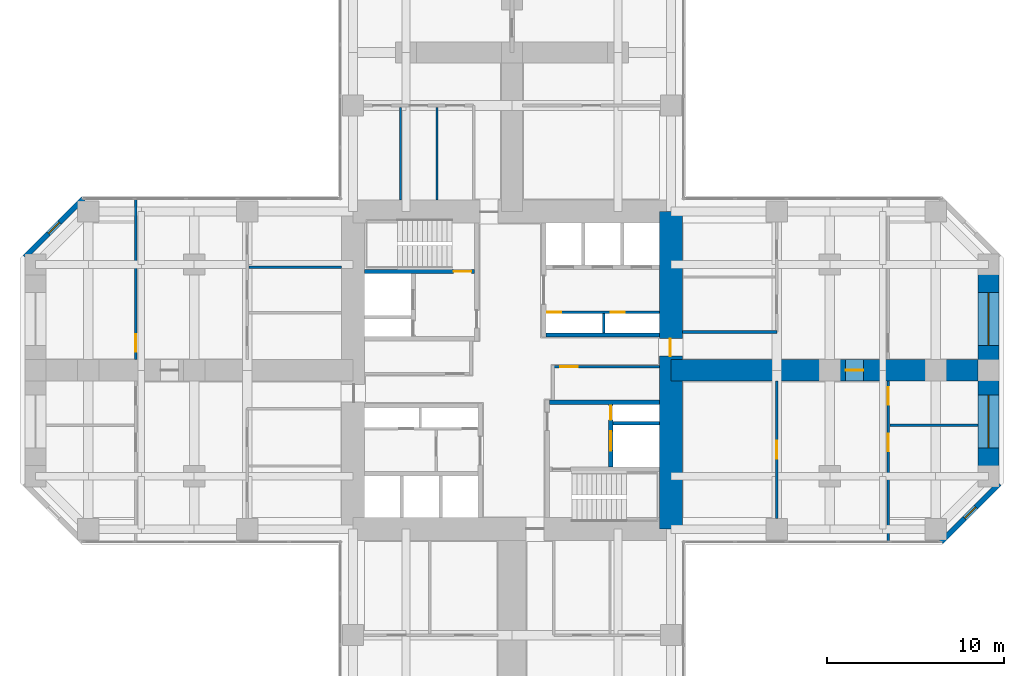
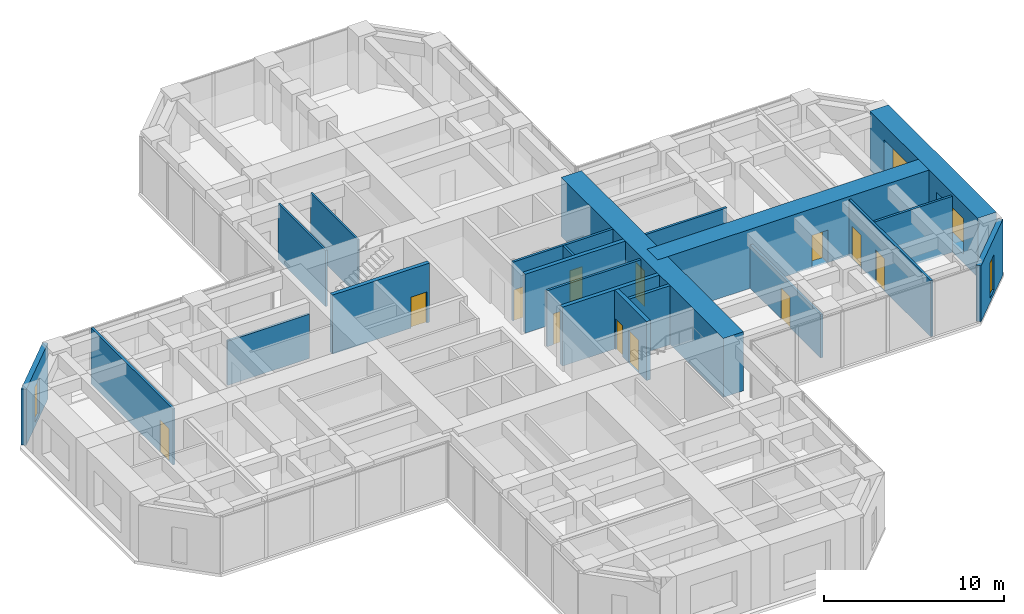
# One storey, part 10 of 13: 21 walls, 12 doors, 4 windows, 16 openings.
"""IFC4 building model written with IfcOpenShell, lengths in metres."""

import ifcopenshell
import ifcopenshell.guid

model = None  # the IFC model being written
_history = None  # IfcOwnerHistory: only IFC2X3 demands one
_inside = {}  # id of a spatial element -> (the spatial element, [elements in it])
_under = {}  # id of a project, library or spatial element -> (it, [spatial elements below it])
_declared = {}  # id of a project -> (the project, [libraries it declares])
_typed = {}  # id of a type object -> (the type object, [elements of that type])
_made_of = {}  # id of a material, layer set ... -> (it, [elements and type objects made of it])


def new_model(schema):
    """Start an empty IFC model of exactly this schema.

    Asked for "IFC4X3", IfcOpenShell would pick the latest addendum, in which some entities
    have other attributes; the version numbers below select the first issue.
    IFC2X3 requires an IfcOwnerHistory on every rooted entity: one is made here for all.
    """
    global model, _history
    if schema == "IFC4X3":
        model = ifcopenshell.file(schema_version=(4, 3, 0, 0))
    else:
        model = ifcopenshell.file(schema=schema)
    _inside.clear()
    _under.clear()
    _declared.clear()
    _typed.clear()
    _made_of.clear()
    _history = None
    if model.schema == "IFC2X3":
        org = make("IfcOrganization", Name="unknown")
        user = make(
            "IfcPersonAndOrganization",
            ThePerson=make("IfcPerson", FamilyName="unknown"),
            TheOrganization=org,
        )
        app = make(
            "IfcApplication",
            ApplicationDeveloper=org,
            Version="unknown",
            ApplicationFullName="unknown",
            ApplicationIdentifier="unknown",
        )
        _history = make(
            "IfcOwnerHistory",
            OwningUser=user,
            OwningApplication=app,
            ChangeAction="ADDED",
            CreationDate=0,
        )
    return model


def make(cls, **values):
    """One entity of the class cls with the attributes given. An attribute that is None is left unset."""
    return model.create_entity(
        cls, **{name: value for name, value in values.items() if value is not None}
    )


def rooted(cls, **values):
    """An entity with a GlobalId (a new one), such as an element, a storey or a relation."""
    return make(cls, GlobalId=ifcopenshell.guid.new(), OwnerHistory=_history, **values)


def si_unit(unit_type, name, prefix=None):
    """IfcSIUnit, for example si_unit("LENGTHUNIT", "METRE", prefix="MILLI")."""
    return make("IfcSIUnit", UnitType=unit_type, Prefix=prefix, Name=name)


def assignment(units):
    """IfcUnitAssignment: the units of a project."""
    return None if units is None else make("IfcUnitAssignment", Units=units)


def point(xyz):
    """IfcCartesianPoint."""
    return None if xyz is None else make("IfcCartesianPoint", Coordinates=xyz)


def direction(xyz):
    """IfcDirection."""
    return None if xyz is None else make("IfcDirection", DirectionRatios=xyz)


def frame(location, z_axis=None, x_axis=None):
    """IfcAxis2Placement3D, a coordinate frame: its origin and axes. An axis left out is left unset."""
    return make(
        "IfcAxis2Placement3D",
        Location=point(location),
        Axis=direction(z_axis),
        RefDirection=direction(x_axis),
    )


def frame_2d(location, x_axis=None):
    """IfcAxis2Placement2D, a coordinate frame in the plane: its origin and x axis."""
    return make(
        "IfcAxis2Placement2D", Location=point(location), RefDirection=direction(x_axis)
    )


def origin():
    """The frame at (0, 0, 0) with its axes left unset."""
    return frame((0.0, 0.0, 0.0))


def place(relative_to, where):
    """IfcLocalPlacement: puts the frame where relative to a parent placement (None: the world)."""
    return make(
        "IfcLocalPlacement", PlacementRelTo=relative_to, RelativePlacement=where
    )


def context(
    kind, dimensions, precision=None, world=None, true_north=None, identifier=None
):
    """IfcGeometricRepresentationContext, for example the 3D "Model" context."""
    return make(
        "IfcGeometricRepresentationContext",
        ContextIdentifier=identifier,
        ContextType=kind,
        CoordinateSpaceDimension=dimensions,
        Precision=precision,
        WorldCoordinateSystem=world,
        TrueNorth=true_north,
    )


def subcontext(parent, identifier, kind, view, scale=None):
    """IfcGeometricRepresentationSubContext, for example "Body" below "Model"."""
    return make(
        "IfcGeometricRepresentationSubContext",
        ContextIdentifier=identifier,
        ContextType=kind,
        ParentContext=parent,
        TargetScale=scale,
        TargetView=view,
    )


def project(units=None, contexts=None):
    """IfcProject with its units and contexts."""
    return rooted(
        "IfcProject",
        Name="project",
        RepresentationContexts=contexts,
        UnitsInContext=assignment(units),
    )


def spatial(cls, under=None, at=None, **own):
    """A site, building, storey or space (cls), placed at a placement, below another one or the project."""
    s = rooted(cls, ObjectPlacement=at, **own)
    if under is not None:
        _under.setdefault(under.id(), (under, []))[1].append(s)
    return s


def profile(cls, at=None, kind="AREA", **sizes):
    """A parametric profile (cls). Its sizes go by their IFC names, for example OverallWidth=200.0."""
    return make(cls, ProfileType=kind, Position=at, **sizes)


def rectangle(**sizes):
    """IfcRectangleProfileDef."""
    return profile("IfcRectangleProfileDef", **sizes)


def hollow_rectangle(**sizes):
    """IfcRectangleHollowProfileDef."""
    return profile("IfcRectangleHollowProfileDef", **sizes)


def extrude(swept, where, along, depth):
    """IfcExtrudedAreaSolid: the profile swept, set in the frame where, extruded along a direction by depth."""
    return make(
        "IfcExtrudedAreaSolid",
        SweptArea=swept,
        Position=where,
        ExtrudedDirection=direction(along),
        Depth=depth,
    )


def shape(context_of_items, identifier, shape_type, items):
    """IfcShapeRepresentation: the items that make up one representation, for example the "Body"."""
    return make(
        "IfcShapeRepresentation",
        ContextOfItems=context_of_items,
        RepresentationIdentifier=identifier,
        RepresentationType=shape_type,
        Items=items,
    )


def material(Name=None, Category=None):
    """IfcMaterial."""
    return make("IfcMaterial", Name=Name, Category=Category)


def layer(
    of_material, thickness, ventilated=None, Name=None, Category=None, Priority=None
):
    """IfcMaterialLayer: one layer of a wall or slab, of a material (None: an air gap)."""
    return make(
        "IfcMaterialLayer",
        Material=of_material,
        LayerThickness=thickness,
        IsVentilated=ventilated,
        Name=Name,
        Category=Category,
        Priority=Priority,
    )


def layer_set(layers, Name=None):
    """IfcMaterialLayerSet."""
    return make("IfcMaterialLayerSet", MaterialLayers=layers, LayerSetName=Name)


def constituent(of_material, Name=None, Category=None, fraction=None):
    """IfcMaterialConstituent: one of the materials an element consists of."""
    return make(
        "IfcMaterialConstituent",
        Name=Name,
        Material=of_material,
        Fraction=fraction,
        Category=Category,
    )


def constituent_set(constituents=None, Name=None):
    """IfcMaterialConstituentSet."""
    return make(
        "IfcMaterialConstituentSet", Name=Name, MaterialConstituents=constituents
    )


def made_of(thing, what):
    """Note that an element or type object is made of a material, layer set ...; save() writes the relation."""
    if what is not None:
        _made_of.setdefault(what.id(), (what, []))[1].append(thing)
    return thing


def type_object(cls, material=None, **own):
    """A type object (cls), such as IfcWallType, which elements share."""
    return made_of(rooted(cls, **own), material)


def element(
    cls,
    number,
    at=None,
    inside=None,
    cuts=None,
    type_object=None,
    material=None,
    context=None,
    identifier="Body",
    shape_type=None,
    held_by="IfcProductDefinitionShape",
    body=None,
    shapes=None,
    **own,
):
    """One element of the class cls, such as IfcWall. Its Tag is "e" and its number.

    at: its placement. inside: the storey or other place that contains it. cuts: it is an
    opening in that element (IfcRelVoidsElement). A single representation is given by context,
    identifier, shape_type and body (its items); several are given by shapes. held_by: the class
    of the entity that holds the representations. save() writes the other relations.
    """
    e = rooted(cls, Tag="e%d" % number, ObjectPlacement=at, **own)
    if body is not None:
        shapes = [shape(context, identifier, shape_type, body)]
    if shapes is not None:
        e.Representation = make(held_by, Representations=shapes)
    if inside is not None:
        _inside.setdefault(inside.id(), (inside, []))[1].append(e)
    if cuts is not None:
        rooted(
            "IfcRelVoidsElement", RelatingBuildingElement=cuts, RelatedOpeningElement=e
        )
    if type_object is not None:
        _typed.setdefault(type_object.id(), (type_object, []))[1].append(e)
    return made_of(e, material)


def fill(opening, filler):
    """IfcRelFillsElement: the door or window that sits in an opening."""
    return rooted(
        "IfcRelFillsElement",
        RelatingOpeningElement=opening,
        RelatedBuildingElement=filler,
    )


def aggregate(whole, parts):
    """IfcRelAggregates: a whole, such as a stair, and the parts it consists of."""
    return rooted("IfcRelAggregates", RelatingObject=whole, RelatedObjects=parts)


def save(model, path):
    """Write the relations noted so far, then the file.

    IfcRelAggregates (storeys below a building ...), IfcRelContainedInSpatialStructure (elements
    in a storey), IfcRelDefinesByType, IfcRelAssociatesMaterial and IfcRelDeclares: one each for
    every whole, place, type object, material and project.
    """
    for whole, parts in _under.values():
        aggregate(whole, parts)
    for where, things in _inside.values():
        rooted(
            "IfcRelContainedInSpatialStructure",
            RelatedElements=things,
            RelatingStructure=where,
        )
    for kind, things in _typed.values():
        rooted("IfcRelDefinesByType", RelatedObjects=things, RelatingType=kind)
    for what, things in _made_of.values():
        rooted("IfcRelAssociatesMaterial", RelatedObjects=things, RelatingMaterial=what)
    for by, libraries in _declared.values():
        rooted("IfcRelDeclares", RelatingContext=by, RelatedDefinitions=libraries)
    model.write(path)


model = new_model("IFC4")

# Units and contexts
model_context = context("Model", 3, precision=1e-05, world=origin(), true_north=direction((0.0, 1.0)))
body_context = subcontext(model_context, "Body", "Model", "MODEL_VIEW")
ifc_project = project(units=[si_unit("LENGTHUNIT", "METRE"), si_unit("AREAUNIT", "SQUARE_METRE"), si_unit("VOLUMEUNIT", "CUBIC_METRE"), si_unit("PLANEANGLEUNIT", "RADIAN"), si_unit("MASSUNIT", "GRAM", prefix="KILO")], contexts=[model_context])

# Site, building, storey
site_placement = place(None, origin())
site = spatial("IfcSite", under=ifc_project, at=site_placement, CompositionType="ELEMENT")
building_placement = place(site_placement, origin())
building = spatial("IfcBuilding", under=site, at=building_placement, Name="Torre Cruceta", CompositionType="ELEMENT")
storey_placement = place(building_placement, frame((0.0, 0.0, 47.5)))
storey = spatial("IfcBuildingStorey", under=building, at=storey_placement, Name="L11", CompositionType="ELEMENT", Elevation=47.5)

# Wall
ifc_material_1 = material(Name="Concrete G60 (fck 60 MPa)", Category="concrete")
ifc_layer_1 = layer(ifc_material_1, 0.25)
ifc_layer_set_1 = layer_set([ifc_layer_1], Name="Concrete G60 (fck 60 MPa)")
wall_type_1 = type_object("IfcWallType", Name="CORE INNER WALL 250 G60", PredefinedType="SHEAR", material=ifc_layer_set_1)
wall_1_placement = place(storey_placement, frame((1.925048828125, 2.0, 0.0), z_axis=(0.0, 0.0, 1.0), x_axis=(1.0, 0.0, 0.0)))
element("IfcWall", 1, at=wall_1_placement, inside=storey, type_object=wall_type_1, Name="CW4 L11 NE-CV", PredefinedType="SHEAR", context=body_context, shape_type="SweptSolid", body=[
    extrude(rectangle(XDim=6.425048828125, YDim=0.25, at=frame_2d((3.21240234375, 0.0))), origin(), (0.0, 0.0, 1.0), 4.0),
])

# Wall, opening, door
wall_2_placement = place(storey_placement, frame((-2.125, 5.60009765625, 0.0), z_axis=(0.0, 0.0, 1.0), x_axis=(-1.0, 0.0, 0.0)))
wall_2 = element("IfcWall", 2, at=wall_2_placement, inside=storey, type_object=wall_type_1, Name="CW4 L11 NW-SV", PredefinedType="SHEAR", context=body_context, shape_type="SweptSolid", body=[
    extrude(rectangle(XDim=6.22509765625, YDim=0.25, at=frame_2d((3.112548828125, 0.0))), origin(), (0.0, 0.0, 1.0), 4.0),
])
opening_1_placement = place(wall_2_placement, frame((0.175048828125, 0.0, 0.0)))
opening_1 = element("IfcOpeningElement", 3, at=opening_1_placement, cuts=wall_2, Name="Opening D3", PredefinedType="OPENING", context=body_context, shape_type="SweptSolid", body=[
    extrude(rectangle(XDim=1.0, YDim=2.10009765625, at=frame_2d((0.5, 1.050048828125))), frame((0.0, 0.135009765625, 0.0), z_axis=(0.0, -1.0, 0.0), x_axis=(1.0, 0.0, 0.0)), (0.0, 0.0, 1.0), 0.27001953125),
])
ifc_material_2 = material(Name="Steel DX51D", Category="steel")
ifc_constituent_1 = constituent(ifc_material_2, Name="Leaf and frame")
ifc_material_3 = material(Name="Polyester powder coating", Category="paint")
ifc_constituent_2 = constituent(ifc_material_3, Name="Finish")
ifc_constituent_set_1 = constituent_set(constituents=[ifc_constituent_1, ifc_constituent_2], Name="Steel fire door")
door_type_1 = type_object("IfcDoorType", Name="FIRE DOOR 1000X2100", OperationType="SINGLE_SWING_LEFT", PredefinedType="DOOR", material=ifc_constituent_set_1)
door_1_placement = place(opening_1_placement, frame((1.0, 0.0, 0.0), z_axis=(0.0, 0.0, 1.0), x_axis=(-1.0, 0.0, 0.0)))
door_1 = element("IfcDoor", 4, at=door_1_placement, inside=storey, type_object=door_type_1, Name="D3 L11 NW-STAIR", OperationType="SINGLE_SWING_RIGHT", OverallHeight=2.10009765625, OverallWidth=1.0, PredefinedType="DOOR", context=body_context, shape_type="SweptSolid", body=[
    extrude(rectangle(XDim=1.0, YDim=2.10009765625, at=frame_2d((0.5, 1.050048828125))), frame((0.0, 0.025146484375, 0.0), z_axis=(0.0, -1.0, 0.0), x_axis=(1.0, 0.0, 0.0)), (0.0, 0.0, 1.0), 0.050048828125),
])
fill(opening_1, door_1)

# Wall
wall_3_placement = place(storey_placement, frame((2.125, -1.800048828125, 0.0), z_axis=(0.0, 0.0, 1.0), x_axis=(1.0, 0.0, 0.0)))
element("IfcWall", 5, at=wall_3_placement, inside=storey, type_object=wall_type_1, Name="CW4 L11 SE-CV", PredefinedType="SHEAR", context=body_context, shape_type="SweptSolid", body=[
    extrude(rectangle(XDim=6.22509765625, YDim=0.25, at=frame_2d((3.112548828125, 0.0))), origin(), (0.0, 0.0, 1.0), 4.0),
])

# Wall, openings, doors
wall_4_placement = place(storey_placement, frame((5.60009765625, -1.925048828125, 0.0), z_axis=(0.0, 0.0, 1.0), x_axis=(0.0, -1.0, 0.0)))
wall_4 = element("IfcWall", 6, at=wall_4_placement, inside=storey, type_object=wall_type_1, Name="CW4 L11 SE-FU", PredefinedType="SHEAR", context=body_context, shape_type="SweptSolid", body=[
    extrude(rectangle(XDim=3.550048828125, YDim=0.25, at=frame_2d((1.77490234375, 0.0))), origin(), (0.0, 0.0, 1.0), 4.0),
])
opening_2_placement = place(wall_4_placement, frame((1.52490234375, 0.0, 0.0)))
opening_2 = element("IfcOpeningElement", 7, at=opening_2_placement, cuts=wall_4, Name="Opening LD1", PredefinedType="OPENING", context=body_context, shape_type="SweptSolid", body=[
    extrude(rectangle(XDim=1.10009765625, YDim=2.199951171875, at=frame_2d((0.550048828125, 1.10009765625))), frame((0.0, 0.135009765625, 0.0), z_axis=(0.0, -1.0, 0.0), x_axis=(1.0, 0.0, 0.0)), (0.0, 0.0, 1.0), 0.27001953125),
])
opening_3_placement = place(wall_4_placement, frame((0.074951171875, 0.0, 0.0)))
opening_3 = element("IfcOpeningElement", 8, at=opening_3_placement, cuts=wall_4, Name="Opening D5", PredefinedType="OPENING", context=body_context, shape_type="SweptSolid", body=[
    extrude(rectangle(XDim=0.800048828125, YDim=2.10009765625, at=frame_2d((0.39990234375, 1.050048828125))), frame((0.0, 0.135009765625, 0.0), z_axis=(0.0, -1.0, 0.0), x_axis=(1.0, 0.0, 0.0)), (0.0, 0.0, 1.0), 0.27001953125),
])
ifc_material_4 = material(Name="Stainless steel 1.4401", Category="steel")
door_type_2 = type_object("IfcDoorType", Name="LIFT LANDING DOOR 1100X2200", OperationType="DOUBLE_DOOR_SLIDING", PredefinedType="DOOR", material=ifc_material_4)
door_2_placement = place(opening_2_placement, origin())
door_2 = element("IfcDoor", 9, at=door_2_placement, inside=storey, type_object=door_type_2, Name="Lift landing door FL2", OperationType="DOUBLE_DOOR_SLIDING", OverallHeight=2.199951171875, OverallWidth=1.10009765625, PredefinedType="DOOR", context=body_context, shape_type="SweptSolid", body=[
    extrude(rectangle(XDim=1.10009765625, YDim=2.199951171875, at=frame_2d((0.550048828125, 1.10009765625))), frame((0.0, 0.02490234375, 0.0), z_axis=(0.0, -1.0, 0.0), x_axis=(1.0, 0.0, 0.0)), (0.0, 0.0, 1.0), 0.050048828125),
])
fill(opening_2, door_2)
ifc_material_5 = material(Name="Steel DX51D", Category="steel")
ifc_constituent_3 = constituent(ifc_material_5, Name="Leaf and frame")
ifc_material_6 = material(Name="Polyester powder coating", Category="paint")
ifc_constituent_4 = constituent(ifc_material_6, Name="Finish")
ifc_constituent_set_2 = constituent_set(constituents=[ifc_constituent_3, ifc_constituent_4], Name="Steel fire door")
door_type_3 = type_object("IfcDoorType", Name="RISER ACCESS DOOR 800X2100", OperationType="SINGLE_SWING_LEFT", PredefinedType="DOOR", material=ifc_constituent_set_2)
door_3_placement = place(opening_3_placement, origin())
door_3 = element("IfcDoor", 10, at=door_3_placement, inside=storey, type_object=door_type_3, Name="D5 L11 SE-RISER", OperationType="SINGLE_SWING_LEFT", OverallHeight=2.10009765625, OverallWidth=0.800048828125, PredefinedType="DOOR", context=body_context, shape_type="SweptSolid", body=[
    extrude(rectangle(XDim=0.800048828125, YDim=2.10009765625, at=frame_2d((0.39990234375, 1.050048828125))), frame((0.0, 0.02490234375, 0.0), z_axis=(0.0, -1.0, 0.0), x_axis=(1.0, 0.0, 0.0)), (0.0, 0.0, 1.0), 0.050048828125),
])
fill(opening_3, door_3)

# Wall, opening, door
ifc_material_7 = material(Name="Concrete G60 (fck 60 MPa)", Category="concrete")
ifc_layer_2 = layer(ifc_material_7, 1.300048828125)
ifc_layer_set_2 = layer_set([ifc_layer_2], Name="Concrete G60 (fck 60 MPa)")
wall_type_2 = type_object("IfcWallType", Name="CORE WALL 1300 G60", PredefinedType="SHEAR", material=ifc_layer_set_2)
wall_5_placement = place(storey_placement, frame((9.0, -9.0, 0.0), z_axis=(0.0, 0.0, 1.0), x_axis=(0.0, 1.0, 0.0)))
wall_5 = element("IfcWall", 11, at=wall_5_placement, inside=storey, type_object=wall_type_2, Name="CW1 L11 CW-E", PredefinedType="SHEAR", context=body_context, shape_type="SweptSolid", body=[
    extrude(rectangle(XDim=18.0, YDim=1.300048828125, at=frame_2d((9.0, 0.0))), origin(), (0.0, 0.0, 1.0), 4.0),
])
opening_4_placement = place(wall_5_placement, frame((9.800048828125, 0.0, 0.0)))
opening_4 = element("IfcOpeningElement", 12, at=opening_4_placement, cuts=wall_5, Name="Opening D4", PredefinedType="OPENING", context=body_context, shape_type="SweptSolid", body=[
    extrude(rectangle(XDim=1.0, YDim=2.39990234375, at=frame_2d((0.5, 1.199951171875))), frame((0.0, 0.659912109375, 0.0), z_axis=(0.0, -1.0, 0.0), x_axis=(1.0, 0.0, 0.0)), (0.0, 0.0, 1.0), 1.320068359375),
])
ifc_material_8 = material(Name="Steel DX51D", Category="steel")
ifc_constituent_5 = constituent(ifc_material_8, Name="Leaf and frame")
ifc_material_9 = material(Name="Polyester powder coating", Category="paint")
ifc_constituent_6 = constituent(ifc_material_9, Name="Finish")
ifc_constituent_set_3 = constituent_set(constituents=[ifc_constituent_5, ifc_constituent_6], Name="Steel fire door")
door_type_4 = type_object("IfcDoorType", Name="CORE ARM DOOR 1000X2400", OperationType="SINGLE_SWING_RIGHT", PredefinedType="DOOR", material=ifc_constituent_set_3)
door_4_placement = place(opening_4_placement, frame((1.0, 0.0, 0.0), z_axis=(0.0, 0.0, 1.0), x_axis=(-1.0, 0.0, 0.0)))
door_4 = element("IfcDoor", 13, at=door_4_placement, inside=storey, type_object=door_type_4, Name="D4 L11 CW-E", OperationType="SINGLE_SWING_RIGHT", OverallHeight=2.39990234375, OverallWidth=1.0, PredefinedType="DOOR", context=body_context, shape_type="SweptSolid", body=[
    extrude(rectangle(XDim=1.0, YDim=2.39990234375, at=frame_2d((0.5, 1.199951171875))), frame((0.0, -0.005126953125, 0.0), z_axis=(0.0, -1.0, 0.0), x_axis=(1.0, 0.0, 0.0)), (0.0, 0.0, 1.0), 0.050048828125),
])
fill(opening_4, door_4)

# Wall, opening, window
ifc_material_10 = material(Name="Concrete G30 (fck 30 MPa)", Category="concrete")
ifc_layer_3 = layer(ifc_material_10, 0.300048828125)
ifc_layer_set_3 = layer_set([ifc_layer_3], Name="Concrete G30 (fck 30 MPa)")
wall_type_3 = type_object("IfcWallType", Name="EXPOSED CONCRETE FACADE WALL 300", PredefinedType="SOLIDWALL", material=ifc_layer_set_3)
wall_6_placement = place(storey_placement, frame((24.29833984375, -9.719970703125, 0.0), z_axis=(0.0, 0.0, 1.0), x_axis=(0.707106781187, 0.707106781187, 0.0)))
wall_6 = element("IfcWall", 14, at=wall_6_placement, inside=storey, type_object=wall_type_3, Name="EW1 facade wall L11 E chamfer 01", PredefinedType="SOLIDWALL", context=body_context, shape_type="SweptSolid", body=[
    extrude(rectangle(XDim=4.66943359375, YDim=0.300048828125, at=frame_2d((2.334716796875, 0.0))), origin(), (0.0, 0.0, 1.0), 3.800048828125),
])
opening_5_placement = place(wall_6_placement, frame((1.884765625, 0.0, 0.300048828125)))
opening_5 = element("IfcOpeningElement", 15, at=opening_5_placement, cuts=wall_6, Name="Opening WN5", PredefinedType="OPENING", context=body_context, shape_type="SweptSolid", body=[
    extrude(rectangle(XDim=0.89990234375, YDim=2.39990234375, at=frame_2d((0.449951171875, 1.199951171875))), frame((0.0, 0.159912109375, 0.0), z_axis=(0.0, -1.0, 0.0), x_axis=(1.0, 0.0, 0.0)), (0.0, 0.0, 1.0), 0.320068359375),
])
ifc_material_11 = material(Name="Aluminium window frame", Category="aluminium")
ifc_constituent_7 = constituent(ifc_material_11, Name="Frame")
ifc_material_12 = material(Name="Laminated insulating glass unit, low-iron clear", Category="glass")
ifc_constituent_8 = constituent(ifc_material_12, Name="Glazing")
ifc_constituent_set_4 = constituent_set(constituents=[ifc_constituent_7, ifc_constituent_8], Name="Aluminium window")
window_type_1 = type_object("IfcWindowType", Name="CHAMFER SLOT WINDOW 900X2400", PartitioningType="SINGLE_PANEL", PredefinedType="WINDOW", material=ifc_constituent_set_4)
window_1_placement = place(opening_5_placement, origin())
window_1 = element("IfcWindow", 16, at=window_1_placement, inside=storey, type_object=window_type_1, Name="WN5 L11 E 1", OverallHeight=2.39990234375, OverallWidth=0.89990234375, PartitioningType="SINGLE_PANEL", PredefinedType="WINDOW", context=body_context, shape_type="SweptSolid", body=[
    extrude(hollow_rectangle(XDim=0.89990234375, YDim=2.39990234375, WallThickness=0.06005859375, at=frame_2d((0.449951171875, 1.199951171875))), frame((0.0, 0.030029296875, 0.0), z_axis=(0.0, -1.0, 0.0), x_axis=(1.0, 0.0, 0.0)), (0.0, 0.0, 1.0), 0.06005859375),
    extrude(rectangle(XDim=0.77880859375, YDim=2.27880859375, at=frame_2d((0.449951171875, 1.199951171875))), frame((0.0, 0.030029296875, 0.0), z_axis=(0.0, -1.0, 0.0), x_axis=(1.0, 0.0, 0.0)), (0.0, 0.0, 1.0), 0.06005859375),
])
fill(opening_5, window_1)

wall_7_placement = place(storey_placement, frame((-24.29833984375, 9.719970703125, 0.0), z_axis=(0.0, 0.0, 1.0), x_axis=(-0.707106781187, -0.707106781187, 0.0)))
wall_7 = element("IfcWall", 17, at=wall_7_placement, inside=storey, type_object=wall_type_3, Name="EW1 facade wall L11 W chamfer 11", PredefinedType="SOLIDWALL", context=body_context, shape_type="SweptSolid", body=[
    extrude(rectangle(XDim=4.66943359375, YDim=0.300048828125, at=frame_2d((2.334716796875, 0.0))), origin(), (0.0, 0.0, 1.0), 3.800048828125),
])
opening_6_placement = place(wall_7_placement, frame((1.884765625, 0.0, 0.300048828125)))
opening_6 = element("IfcOpeningElement", 18, at=opening_6_placement, cuts=wall_7, Name="Opening WN5", PredefinedType="OPENING", context=body_context, shape_type="SweptSolid", body=[
    extrude(rectangle(XDim=0.89990234375, YDim=2.39990234375, at=frame_2d((0.449951171875, 1.199951171875))), frame((0.0, 0.159912109375, 0.0), z_axis=(0.0, -1.0, 0.0), x_axis=(1.0, 0.0, 0.0)), (0.0, 0.0, 1.0), 0.320068359375),
])
window_2_placement = place(opening_6_placement, origin())
window_2 = element("IfcWindow", 19, at=window_2_placement, inside=storey, type_object=window_type_1, Name="WN5 L11 W 1", OverallHeight=2.39990234375, OverallWidth=0.89990234375, PartitioningType="SINGLE_PANEL", PredefinedType="WINDOW", context=body_context, shape_type="SweptSolid", body=[
    extrude(hollow_rectangle(XDim=0.89990234375, YDim=2.39990234375, WallThickness=0.06005859375, at=frame_2d((0.449951171875, 1.199951171875))), frame((0.0, 0.030029296875, 0.0), z_axis=(0.0, -1.0, 0.0), x_axis=(1.0, 0.0, 0.0)), (0.0, 0.0, 1.0), 0.06005859375),
    extrude(rectangle(XDim=0.77880859375, YDim=2.27880859375, at=frame_2d((0.449951171875, 1.199951171875))), frame((0.0, 0.030029296875, 0.0), z_axis=(0.0, -1.0, 0.0), x_axis=(1.0, 0.0, 0.0)), (0.0, 0.0, 1.0), 0.06005859375),
])
fill(opening_6, window_2)

# Wall
ifc_material_13 = material(Name="Concrete G35 (fck 35 MPa)", Category="concrete")
ifc_layer_4 = layer(ifc_material_13, 0.199951171875)
ifc_layer_set_4 = layer_set([ifc_layer_4], Name="Concrete G35 (fck 35 MPa)")
wall_type_4 = type_object("IfcWallType", Name="LIFT SHAFT WALL 200", PredefinedType="PARTITIONING", material=ifc_layer_set_4)
wall_8_placement = place(storey_placement, frame((5.72509765625, -3.0, 0.0), z_axis=(0.0, 0.0, 1.0), x_axis=(1.0, 0.0, 0.0)))
element("IfcWall", 20, at=wall_8_placement, inside=storey, type_object=wall_type_4, Name="SW1 L11 SE-FR", PredefinedType="PARTITIONING", context=body_context, shape_type="SweptSolid", body=[
    extrude(rectangle(XDim=2.625, YDim=0.199951171875, at=frame_2d((1.3125, 0.0))), origin(), (0.0, 0.0, 1.0), 4.0),
])

# Wall, openings, windows
ifc_material_14 = material(Name="Concrete G60 (fck 60 MPa)", Category="concrete")
ifc_layer_5 = layer(ifc_material_14, 1.199951171875)
ifc_layer_set_5 = layer_set([ifc_layer_5], Name="Concrete G60 (fck 60 MPa)")
wall_type_5 = type_object("IfcWallType", Name="NOSE WALL 1200 G60", PredefinedType="SHEAR", material=ifc_layer_set_5)
wall_9_placement = place(storey_placement, frame((27.0, -6.0, 0.0), z_axis=(0.0, 0.0, 1.0), x_axis=(0.0, 1.0, 0.0)))
wall_9 = element("IfcWall", 21, at=wall_9_placement, inside=storey, type_object=wall_type_5, Name="NW1 nose wall L11 E", PredefinedType="SHEAR", context=body_context, shape_type="SweptSolid", body=[
    extrude(rectangle(XDim=12.0, YDim=1.199951171875, at=frame_2d((6.0, 0.0))), origin(), (0.0, 0.0, 1.0), 4.0),
])
opening_7_placement = place(wall_9_placement, frame((1.60009765625, 0.0, 0.60009765625)))
opening_7 = element("IfcOpeningElement", 22, at=opening_7_placement, cuts=wall_9, Name="Opening WN6", PredefinedType="OPENING", context=body_context, shape_type="SweptSolid", body=[
    extrude(rectangle(XDim=3.0, YDim=2.39990234375, at=frame_2d((1.5, 1.199951171875))), frame((0.0, 0.60986328125, 0.0), z_axis=(0.0, -1.0, 0.0), x_axis=(1.0, 0.0, 0.0)), (0.0, 0.0, 1.0), 1.219970703125),
])
opening_8_placement = place(wall_9_placement, frame((7.39990234375, 0.0, 0.60009765625)))
opening_8 = element("IfcOpeningElement", 23, at=opening_8_placement, cuts=wall_9, Name="Opening WN6", PredefinedType="OPENING", context=body_context, shape_type="SweptSolid", body=[
    extrude(rectangle(XDim=3.0, YDim=2.39990234375, at=frame_2d((1.5, 1.199951171875))), frame((0.0, 0.60986328125, 0.0), z_axis=(0.0, -1.0, 0.0), x_axis=(1.0, 0.0, 0.0)), (0.0, 0.0, 1.0), 1.219970703125),
])
ifc_material_15 = material(Name="Aluminium window frame", Category="aluminium")
ifc_constituent_9 = constituent(ifc_material_15, Name="Frame")
ifc_material_16 = material(Name="Laminated insulating glass unit, low-iron clear", Category="glass")
ifc_constituent_10 = constituent(ifc_material_16, Name="Glazing")
ifc_constituent_set_5 = constituent_set(constituents=[ifc_constituent_9, ifc_constituent_10], Name="Aluminium window")
window_type_2 = type_object("IfcWindowType", Name="NOSE WALL WINDOW 3000X2400", PartitioningType="SINGLE_PANEL", PredefinedType="WINDOW", material=ifc_constituent_set_5)
window_3_placement = place(opening_7_placement, origin())
window_3 = element("IfcWindow", 24, at=window_3_placement, inside=storey, type_object=window_type_2, Name="WN6 L11 E 1", OverallHeight=2.39990234375, OverallWidth=3.0, PartitioningType="SINGLE_PANEL", PredefinedType="WINDOW", context=body_context, shape_type="SweptSolid", body=[
    extrude(hollow_rectangle(XDim=3.0, YDim=2.39990234375, WallThickness=0.06005859375, at=frame_2d((1.5, 1.199951171875))), frame((0.0, 0.030029296875, 0.0), z_axis=(0.0, -1.0, 0.0), x_axis=(1.0, 0.0, 0.0)), (0.0, 0.0, 1.0), 0.06005859375),
    extrude(rectangle(XDim=2.87890625, YDim=2.27880859375, at=frame_2d((1.5, 1.199951171875))), frame((0.0, 0.030029296875, 0.0), z_axis=(0.0, -1.0, 0.0), x_axis=(1.0, 0.0, 0.0)), (0.0, 0.0, 1.0), 0.06005859375),
])
fill(opening_7, window_3)
window_4_placement = place(opening_8_placement, origin())
window_4 = element("IfcWindow", 25, at=window_4_placement, inside=storey, type_object=window_type_2, Name="WN6 L11 E 2", OverallHeight=2.39990234375, OverallWidth=3.0, PartitioningType="SINGLE_PANEL", PredefinedType="WINDOW", context=body_context, shape_type="SweptSolid", body=[
    extrude(hollow_rectangle(XDim=3.0, YDim=2.39990234375, WallThickness=0.06005859375, at=frame_2d((1.5, 1.199951171875))), frame((0.0, 0.030029296875, 0.0), z_axis=(0.0, -1.0, 0.0), x_axis=(1.0, 0.0, 0.0)), (0.0, 0.0, 1.0), 0.06005859375),
    extrude(rectangle(XDim=2.87890625, YDim=2.27880859375, at=frame_2d((1.5, 1.199951171875))), frame((0.0, 0.030029296875, 0.0), z_axis=(0.0, -1.0, 0.0), x_axis=(1.0, 0.0, 0.0)), (0.0, 0.0, 1.0), 0.06005859375),
])
fill(opening_8, window_4)

# Wall, opening, door
ifc_material_17 = material(Name="Plasterboard on steel studs", Category="steel")
ifc_layer_6 = layer(ifc_material_17, 0.14990234375)
ifc_layer_set_6 = layer_set([ifc_layer_6], Name="Plasterboard on steel studs")
wall_type_6 = type_object("IfcWallType", Name="PARTITION 150", PredefinedType="PARTITIONING", material=ifc_layer_set_6)
wall_10_placement = place(storey_placement, frame((2.324951171875, 0.199951171875, 0.0), z_axis=(0.0, 0.0, 1.0), x_axis=(1.0, 0.0, 0.0)))
wall_10 = element("IfcWall", 26, at=wall_10_placement, inside=storey, type_object=wall_type_6, Name="PT1 L11-CORE-LEGE-S-W1", PredefinedType="PARTITIONING", context=body_context, shape_type="SweptSolid", body=[
    extrude(rectangle(XDim=6.025146484375, YDim=0.14990234375, at=frame_2d((3.0126953125, 0.0))), origin(), (0.0, 0.0, 1.0), 3.800048828125),
])
opening_9_placement = place(wall_10_placement, frame((0.39990234375, 0.0, 0.0)))
opening_9 = element("IfcOpeningElement", 27, at=opening_9_placement, cuts=wall_10, Name="Opening D3", PredefinedType="OPENING", context=body_context, shape_type="SweptSolid", body=[
    extrude(rectangle(XDim=1.0, YDim=2.10009765625, at=frame_2d((0.5, 1.050048828125))), frame((0.0, 0.0849609375, 0.0), z_axis=(0.0, -1.0, 0.0), x_axis=(1.0, 0.0, 0.0)), (0.0, 0.0, 1.0), 0.169921875),
])
door_5_placement = place(opening_9_placement, frame((1.0, 0.0, 0.0), z_axis=(0.0, 0.0, 1.0), x_axis=(-1.0, 0.0, 0.0)))
door_5 = element("IfcDoor", 28, at=door_5_placement, inside=storey, type_object=door_type_1, Name="D3 L11-CORE-LEGE-S-W1-D1", OperationType="SINGLE_SWING_RIGHT", OverallHeight=2.10009765625, OverallWidth=1.0, PredefinedType="DOOR", context=body_context, shape_type="SweptSolid", body=[
    extrude(rectangle(XDim=1.0, YDim=2.10009765625, at=frame_2d((0.5, 1.050048828125))), frame((0.0, 0.025146484375, 0.0), z_axis=(0.0, -1.0, 0.0), x_axis=(1.0, 0.0, 0.0)), (0.0, 0.0, 1.0), 0.050048828125),
])
fill(opening_9, door_5)

# Wall
wall_11_placement = place(storey_placement, frame((9.64990234375, 2.175048828125, 0.0), z_axis=(0.0, 0.0, 1.0), x_axis=(1.0, 0.0, 0.0)))
element("IfcWall", 29, at=wall_11_placement, inside=storey, type_object=wall_type_6, Name="PT1 L11-E-BSL", PredefinedType="PARTITIONING", context=body_context, shape_type="SweptSolid", body=[
    extrude(rectangle(XDim=5.35009765625, YDim=0.14990234375, at=frame_2d((2.675048828125, 0.0))), origin(), (0.0, 0.0, 1.0), 3.800048828125),
])

# Wall, opening, door
wall_12_placement = place(storey_placement, frame((15.0, -8.39990234375, 0.0), z_axis=(0.0, 0.0, 1.0), x_axis=(0.0, 1.0, 0.0)))
wall_12 = element("IfcWall", 30, at=wall_12_placement, inside=storey, type_object=wall_type_6, Name="PT1 L11-E-BFR", PredefinedType="PARTITIONING", context=body_context, shape_type="SweptSolid", body=[
    extrude(rectangle(XDim=7.7998046875, YDim=0.14990234375, at=frame_2d((3.89990234375, 0.0))), origin(), (0.0, 0.0, 1.0), 2.949951171875),
])
opening_10_placement = place(wall_12_placement, frame((3.39990234375, 0.0, 0.0)))
opening_10 = element("IfcOpeningElement", 31, at=opening_10_placement, cuts=wall_12, Name="Opening D3", PredefinedType="OPENING", context=body_context, shape_type="SweptSolid", body=[
    extrude(rectangle(XDim=1.0, YDim=2.10009765625, at=frame_2d((0.5, 1.050048828125))), frame((0.0, 0.0849609375, 0.0), z_axis=(0.0, -1.0, 0.0), x_axis=(1.0, 0.0, 0.0)), (0.0, 0.0, 1.0), 0.169921875),
])
door_6_placement = place(opening_10_placement, origin())
door_6 = element("IfcDoor", 32, at=door_6_placement, inside=storey, type_object=door_type_1, Name="D3 L11-E-BFR-D1", OperationType="SINGLE_SWING_RIGHT", OverallHeight=2.10009765625, OverallWidth=1.0, PredefinedType="DOOR", context=body_context, shape_type="SweptSolid", body=[
    extrude(rectangle(XDim=1.0, YDim=2.10009765625, at=frame_2d((0.5, 1.050048828125))), frame((0.0, 0.02490234375, 0.0), z_axis=(0.0, -1.0, 0.0), x_axis=(1.0, 0.0, 0.0)), (0.0, 0.0, 1.0), 0.050048828125),
])
fill(opening_10, door_6)

# Wall
wall_13_placement = place(storey_placement, frame((21.419921875, -3.117919921875, 0.0), z_axis=(0.0, 0.0, 1.0), x_axis=(1.0, 0.0, 0.0)))
element("IfcWall", 33, at=wall_13_placement, inside=storey, type_object=wall_type_6, Name="PT1 L11-E-TDR", PredefinedType="PARTITIONING", context=body_context, shape_type="SweptSolid", body=[
    extrude(rectangle(XDim=4.97998046875, YDim=0.14990234375, at=frame_2d((2.489990234375, 0.0))), origin(), (0.0, 0.0, 1.0), 3.800048828125),
])

# Wall, openings, doors
wall_14_placement = place(storey_placement, frame((21.320068359375, -9.679931640625, 0.0), z_axis=(0.0, 0.0, 1.0), x_axis=(0.0, 1.0, 0.0)))
wall_14 = element("IfcWall", 34, at=wall_14_placement, inside=storey, type_object=wall_type_6, Name="PT1 L11-E-TWR", PredefinedType="PARTITIONING", context=body_context, shape_type="SweptSolid", body=[
    extrude(rectangle(XDim=9.079833984375, YDim=0.14990234375, at=frame_2d((4.5400390625, 0.0))), origin(), (0.0, 0.0, 1.0), 3.800048828125),
])
opening_11_placement = place(wall_14_placement, frame((5.0869140625, 0.0, 0.0)))
opening_11 = element("IfcOpeningElement", 35, at=opening_11_placement, cuts=wall_14, Name="Opening D14", PredefinedType="OPENING", context=body_context, shape_type="SweptSolid", body=[
    extrude(rectangle(XDim=1.0, YDim=2.199951171875, at=frame_2d((0.5, 1.10009765625))), frame((0.0, 0.0849609375, 0.0), z_axis=(0.0, -1.0, 0.0), x_axis=(1.0, 0.0, 0.0)), (0.0, 0.0, 1.0), 0.169921875),
])
opening_12_placement = place(wall_14_placement, frame((7.72998046875, 0.0, 0.0)))
opening_12 = element("IfcOpeningElement", 36, at=opening_12_placement, cuts=wall_14, Name="Opening D14", PredefinedType="OPENING", context=body_context, shape_type="SweptSolid", body=[
    extrude(rectangle(XDim=1.0, YDim=2.199951171875, at=frame_2d((0.5, 1.10009765625))), frame((0.0, 0.0849609375, 0.0), z_axis=(0.0, -1.0, 0.0), x_axis=(1.0, 0.0, 0.0)), (0.0, 0.0, 1.0), 0.169921875),
])
ifc_material_18 = material(Name="Steel DX51D", Category="steel")
ifc_constituent_11 = constituent(ifc_material_18, Name="Leaf and frame")
ifc_material_19 = material(Name="Polyester powder coating", Category="paint")
ifc_constituent_12 = constituent(ifc_material_19, Name="Finish")
ifc_material_20 = material(Name="Fire-resisting glass", Category="glass")
ifc_constituent_13 = constituent(ifc_material_20, Name="Vision panel")
ifc_constituent_set_6 = constituent_set(constituents=[ifc_constituent_11, ifc_constituent_12, ifc_constituent_13], Name="Steel fire door with vision panel")
door_type_5 = type_object("IfcDoorType", Name="FIRE DOOR VISION PANEL 1000X2200", OperationType="SINGLE_SWING_RIGHT", PredefinedType="DOOR", material=ifc_constituent_set_6)
door_7_placement = place(opening_11_placement, frame((1.0, 0.0, 0.0), z_axis=(0.0, 0.0, 1.0), x_axis=(-1.0, 0.0, 0.0)))
door_7 = element("IfcDoor", 37, at=door_7_placement, inside=storey, type_object=door_type_5, Name="D14 L11-E-TWR-D1", OperationType="SINGLE_SWING_LEFT", OverallHeight=2.199951171875, OverallWidth=1.0, PredefinedType="DOOR", context=body_context, shape_type="SweptSolid", body=[
    extrude(rectangle(XDim=1.0, YDim=2.199951171875, at=frame_2d((0.5, 1.10009765625))), frame((0.0, 0.025146484375, 0.0), z_axis=(0.0, -1.0, 0.0), x_axis=(1.0, 0.0, 0.0)), (0.0, 0.0, 1.0), 0.050048828125),
])
fill(opening_11, door_7)
door_8_placement = place(opening_12_placement, frame((1.0, 0.0, 0.0), z_axis=(0.0, 0.0, 1.0), x_axis=(-1.0, 0.0, 0.0)))
door_8 = element("IfcDoor", 38, at=door_8_placement, inside=storey, type_object=door_type_5, Name="D14 L11-E-TWR-D2", OperationType="SINGLE_SWING_LEFT", OverallHeight=2.199951171875, OverallWidth=1.0, PredefinedType="DOOR", context=body_context, shape_type="SweptSolid", body=[
    extrude(rectangle(XDim=1.0, YDim=2.199951171875, at=frame_2d((0.5, 1.10009765625))), frame((0.0, 0.025146484375, 0.0), z_axis=(0.0, -1.0, 0.0), x_axis=(1.0, 0.0, 0.0)), (0.0, 0.0, 1.0), 0.050048828125),
])
fill(opening_12, door_8)

# Wall
wall_15_placement = place(storey_placement, frame((-9.64990234375, 5.833251953125, 0.0), z_axis=(0.0, 0.0, 1.0), x_axis=(-1.0, 0.0, 0.0)))
element("IfcWall", 39, at=wall_15_placement, inside=storey, type_object=wall_type_6, Name="PT1 L11-W-BDR2", PredefinedType="PARTITIONING", context=body_context, shape_type="SweptSolid", body=[
    extrude(rectangle(XDim=5.25, YDim=0.14990234375, at=frame_2d((2.625, 0.0))), origin(), (0.0, 0.0, 1.0), 3.0),
])

# Wall, opening, door
wall_16_placement = place(storey_placement, frame((-21.320068359375, 9.679931640625, 0.0), z_axis=(0.0, 0.0, 1.0), x_axis=(0.0, -1.0, 0.0)))
wall_16 = element("IfcWall", 40, at=wall_16_placement, inside=storey, type_object=wall_type_6, Name="PT1 L11-W-TWR", PredefinedType="PARTITIONING", context=body_context, shape_type="SweptSolid", body=[
    extrude(rectangle(XDim=9.079833984375, YDim=0.14990234375, at=frame_2d((4.5400390625, 0.0))), origin(), (0.0, 0.0, 1.0), 3.800048828125),
])
opening_13_placement = place(wall_16_placement, frame((7.6298828125, 0.0, 0.0)))
opening_13 = element("IfcOpeningElement", 41, at=opening_13_placement, cuts=wall_16, Name="Opening D14", PredefinedType="OPENING", context=body_context, shape_type="SweptSolid", body=[
    extrude(rectangle(XDim=1.0, YDim=2.199951171875, at=frame_2d((0.5, 1.10009765625))), frame((0.0, 0.0849609375, 0.0), z_axis=(0.0, -1.0, 0.0), x_axis=(1.0, 0.0, 0.0)), (0.0, 0.0, 1.0), 0.169921875),
])
door_9_placement = place(opening_13_placement, frame((1.0, 0.0, 0.0), z_axis=(0.0, 0.0, 1.0), x_axis=(-1.0, 0.0, 0.0)))
door_9 = element("IfcDoor", 42, at=door_9_placement, inside=storey, type_object=door_type_5, Name="D14 L11-W-TWR-D1", OperationType="SINGLE_SWING_LEFT", OverallHeight=2.199951171875, OverallWidth=1.0, PredefinedType="DOOR", context=body_context, shape_type="SweptSolid", body=[
    extrude(rectangle(XDim=1.0, YDim=2.199951171875, at=frame_2d((0.5, 1.10009765625))), frame((0.0, 0.025146484375, 0.0), z_axis=(0.0, -1.0, 0.0), x_axis=(1.0, 0.0, 0.0)), (0.0, 0.0, 1.0), 0.050048828125),
])
fill(opening_13, door_9)

# Wall, openings, doors
ifc_material_21 = material(Name="Concrete block masonry", Category="masonry")
ifc_layer_7 = layer(ifc_material_21, 0.14990234375)
ifc_layer_set_7 = layer_set([ifc_layer_7], Name="Concrete block masonry")
wall_type_7 = type_object("IfcWallType", Name="RISER WALL 150", PredefinedType="PARTITIONING", material=ifc_layer_set_7)
wall_17_placement = place(storey_placement, frame((1.925048828125, 3.300048828125, 0.0), z_axis=(0.0, 0.0, 1.0), x_axis=(1.0, 0.0, 0.0)))
wall_17 = element("IfcWall", 43, at=wall_17_placement, inside=storey, type_object=wall_type_7, Name="SW7 L11 NE-RV", PredefinedType="PARTITIONING", context=body_context, shape_type="SweptSolid", body=[
    extrude(rectangle(XDim=6.425048828125, YDim=0.14990234375, at=frame_2d((3.21240234375, 0.0))), origin(), (0.0, 0.0, 1.0), 4.0),
])
opening_14_placement = place(wall_17_placement, frame((0.074951171875, 0.0, 0.0)))
opening_14 = element("IfcOpeningElement", 44, at=opening_14_placement, cuts=wall_17, Name="Opening D5", PredefinedType="OPENING", context=body_context, shape_type="SweptSolid", body=[
    extrude(rectangle(XDim=0.800048828125, YDim=2.10009765625, at=frame_2d((0.39990234375, 1.050048828125))), frame((0.0, 0.0849609375, 0.0), z_axis=(0.0, -1.0, 0.0), x_axis=(1.0, 0.0, 0.0)), (0.0, 0.0, 1.0), 0.169921875),
])
opening_15_placement = place(wall_17_placement, frame((3.675048828125, 0.0, 0.0)))
opening_15 = element("IfcOpeningElement", 45, at=opening_15_placement, cuts=wall_17, Name="Opening D5", PredefinedType="OPENING", context=body_context, shape_type="SweptSolid", body=[
    extrude(rectangle(XDim=0.800048828125, YDim=2.10009765625, at=frame_2d((0.39990234375, 1.050048828125))), frame((0.0, 0.0849609375, 0.0), z_axis=(0.0, -1.0, 0.0), x_axis=(1.0, 0.0, 0.0)), (0.0, 0.0, 1.0), 0.169921875),
])
door_10_placement = place(opening_14_placement, frame((0.800048828125, 0.0, 0.0), z_axis=(0.0, 0.0, 1.0), x_axis=(-1.0, 0.0, 0.0)))
door_10 = element("IfcDoor", 46, at=door_10_placement, inside=storey, type_object=door_type_3, Name="D5 L11 NE-RISER1", OperationType="SINGLE_SWING_RIGHT", OverallHeight=2.10009765625, OverallWidth=0.800048828125, PredefinedType="DOOR", context=body_context, shape_type="SweptSolid", body=[
    extrude(rectangle(XDim=0.800048828125, YDim=2.10009765625, at=frame_2d((0.400146484375, 1.050048828125))), frame((0.0, 0.025146484375, 0.0), z_axis=(0.0, -1.0, 0.0), x_axis=(1.0, 0.0, 0.0)), (0.0, 0.0, 1.0), 0.050048828125),
])
fill(opening_14, door_10)
door_11_placement = place(opening_15_placement, frame((0.800048828125, 0.0, 0.0), z_axis=(0.0, 0.0, 1.0), x_axis=(-1.0, 0.0, 0.0)))
door_11 = element("IfcDoor", 47, at=door_11_placement, inside=storey, type_object=door_type_3, Name="D5 L11 NE-RISER2", OperationType="SINGLE_SWING_RIGHT", OverallHeight=2.10009765625, OverallWidth=0.800048828125, PredefinedType="DOOR", context=body_context, shape_type="SweptSolid", body=[
    extrude(rectangle(XDim=0.800048828125, YDim=2.10009765625, at=frame_2d((0.400146484375, 1.050048828125))), frame((0.0, 0.025146484375, 0.0), z_axis=(0.0, -1.0, 0.0), x_axis=(1.0, 0.0, 0.0)), (0.0, 0.0, 1.0), 0.050048828125),
])
fill(opening_15, door_11)

# Wall
wall_18_placement = place(storey_placement, frame((5.199951171875, 2.125, 0.0), z_axis=(0.0, 0.0, 1.0), x_axis=(0.0, 1.0, 0.0)))
element("IfcWall", 48, at=wall_18_placement, inside=storey, type_object=wall_type_7, Name="SW7 L11 NE-RU", PredefinedType="PARTITIONING", context=body_context, shape_type="SweptSolid", body=[
    extrude(rectangle(XDim=1.10009765625, YDim=0.14990234375, at=frame_2d((0.550048828125, 0.0))), origin(), (0.0, 0.0, 1.0), 4.0),
])

# Wall, opening, door
ifc_material_22 = material(Name="Concrete G60 (fck 60 MPa)", Category="concrete")
ifc_layer_8 = layer(ifc_material_22, 1.199951171875)
ifc_layer_set_8 = layer_set([ifc_layer_8], Name="Concrete G60 (fck 60 MPa)")
wall_type_8 = type_object("IfcWallType", Name="SPINE WALL 1200 G60", PredefinedType="SHEAR", material=ifc_layer_set_8)
wall_19_placement = place(storey_placement, frame((9.0, 0.0, 0.0), z_axis=(0.0, 0.0, 1.0), x_axis=(1.0, 0.0, 0.0)))
wall_19 = element("IfcWall", 49, at=wall_19_placement, inside=storey, type_object=wall_type_8, Name="SW3 spine wall L11 E", PredefinedType="SHEAR", context=body_context, shape_type="SweptSolid", body=[
    extrude(rectangle(XDim=18.0, YDim=1.199951171875, at=frame_2d((9.0, 0.0))), origin(), (0.0, 0.0, 1.0), 4.0),
])
opening_16_placement = place(wall_19_placement, frame((9.89990234375, 0.0, 0.0)))
opening_16 = element("IfcOpeningElement", 50, at=opening_16_placement, cuts=wall_19, Name="Opening D14", PredefinedType="OPENING", context=body_context, shape_type="SweptSolid", body=[
    extrude(rectangle(XDim=1.0, YDim=2.199951171875, at=frame_2d((0.5, 1.10009765625))), frame((0.0, 0.60986328125, 0.0), z_axis=(0.0, -1.0, 0.0), x_axis=(1.0, 0.0, 0.0)), (0.0, 0.0, 1.0), 1.219970703125),
])
door_12_placement = place(opening_16_placement, frame((1.0, 0.0, 0.0), z_axis=(0.0, 0.0, 1.0), x_axis=(-1.0, 0.0, 0.0)))
door_12 = element("IfcDoor", 51, at=door_12_placement, inside=storey, type_object=door_type_5, Name="D14 L11-E-SP1", OperationType="SINGLE_SWING_LEFT", OverallHeight=2.199951171875, OverallWidth=1.0, PredefinedType="DOOR", context=body_context, shape_type="SweptSolid", body=[
    extrude(rectangle(XDim=1.0, YDim=2.199951171875, at=frame_2d((0.5, 1.10009765625))), frame((0.0, 0.025146484375, 0.0), z_axis=(0.0, -1.0, 0.0), x_axis=(1.0, 0.0, 0.0)), (0.0, 0.0, 1.0), 0.050048828125),
])
fill(opening_16, door_12)

# Walls
ifc_material_23 = material(Name="Plasterboard on steel studs", Category="steel")
ifc_layer_9 = layer(ifc_material_23, 0.1201171875)
ifc_layer_set_9 = layer_set([ifc_layer_9], Name="Plasterboard on steel studs")
wall_type_9 = type_object("IfcWallType", Name="WC PARTITION 120", PredefinedType="PLUMBINGWALL", material=ifc_layer_set_9)
for number, where, z_axis, x_axis, name in (
    (52, (-4.25, 9.64990234375, 0.0), (0.0, 0.0, 1.0), (0.0, 1.0, 0.0), "PT5 L11-N-BDL1"),
    (53, (-6.324951171875, 9.64990234375, 0.0), (0.0, 0.0, 1.0), (0.0, 1.0, 0.0), "PT5 L11-N-BDL2"),
):
    element("IfcWall", number, at=place(storey_placement, frame(where, z_axis=z_axis, x_axis=x_axis)), inside=storey, type_object=wall_type_9, Name=name, PredefinedType="PLUMBINGWALL", context=body_context, shape_type="SweptSolid", body=[
        extrude(rectangle(XDim=5.25, YDim=0.1201171875, at=frame_2d((2.625, 0.0))), origin(), (0.0, 0.0, 1.0), 3.800048828125),
    ])

save(model, "model.ifc")
